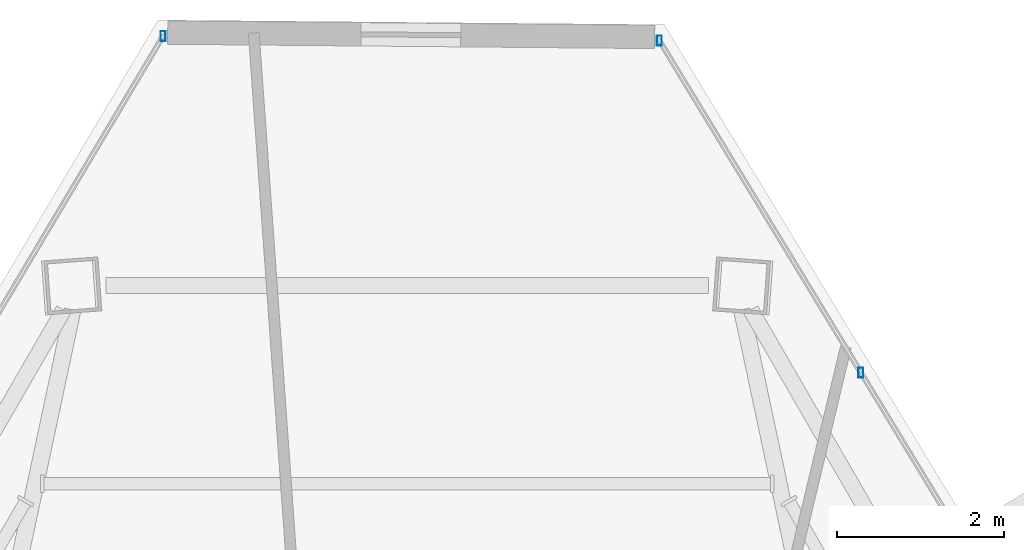
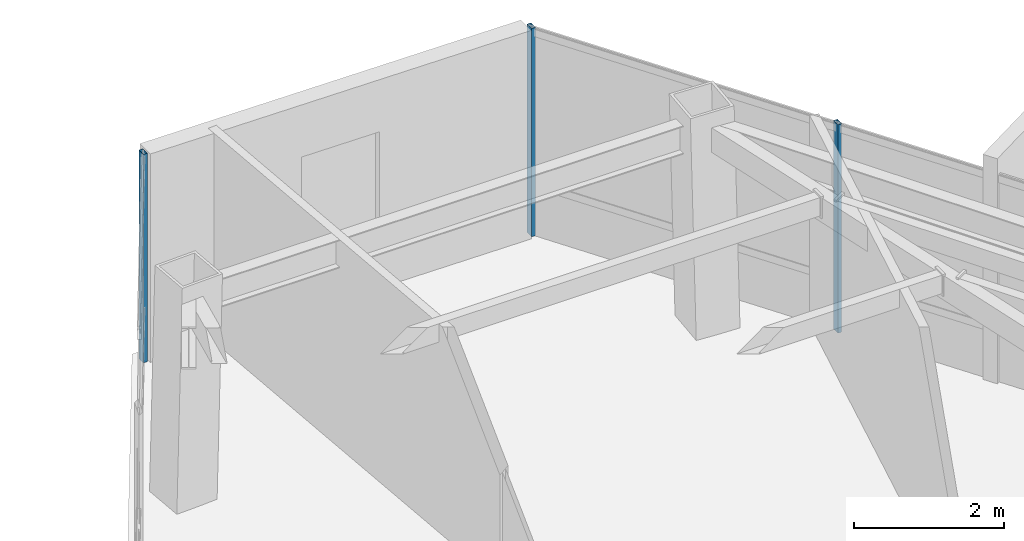
# One storey, part 35 of 47: 3 members, 2 elements without a shape of their own.
"""IFC4 building model written with IfcOpenShell, lengths in metres."""

from ifc_helpers import new_model, si_unit, direction, frame, origin, origin_2d, place, context, subcontext, project, spatial, hollow_rectangle, extrude, source, transform, mapped, material, material_profile, profile_set, type_object, type_shapes, element, aggregate, save


model = new_model("IFC4")

# Units and contexts
model_context = context("Model", 3, precision=1e-05, world=origin(), true_north=direction((0.0, 1.0)))
body_context = subcontext(model_context, "Body", "Model", "MODEL_VIEW")
ifc_project = project(units=[si_unit("LENGTHUNIT", "METRE"), si_unit("AREAUNIT", "SQUARE_METRE"), si_unit("VOLUMEUNIT", "CUBIC_METRE"), si_unit("PLANEANGLEUNIT", "RADIAN"), si_unit("MASSUNIT", "GRAM", prefix="KILO")], contexts=[model_context])

# Site, building, storey
site_placement = place(None, origin())
site = spatial("IfcSite", under=ifc_project, at=site_placement, CompositionType="ELEMENT")
building_placement = place(site_placement, origin())
building = spatial("IfcBuilding", under=site, at=building_placement, Name="Caelisora Broadcast Tower", CompositionType="ELEMENT")
storey_placement = place(building_placement, frame((0.0, 0.0, 248.10009765625)))
storey = spatial("IfcBuildingStorey", under=building, at=storey_placement, Name="L65", CompositionType="ELEMENT", Elevation=248.10009765625)

# Curtain wall, members
ifc_material_1 = material(Name="Unitised Aluminium and Low-E Glass Curtain Wall", Category="glass")
curtain_wall_type = type_object("IfcCurtainWallType", Name="CW-Z5", PredefinedType="NOTDEFINED", material=ifc_material_1)
curtain_wall_1_placement = place(storey_placement, origin())
curtain_wall_1 = element("IfcCurtainWall", 1, at=curtain_wall_1_placement, inside=storey, type_object=curtain_wall_type, Name="L65 curtain wall CW-Z5", PredefinedType="NOTDEFINED")
ifc_material_2 = material(Name="Aluminium 6063-T6 Anodised Terracotta Bronze", Category="aluminium")
ifc_material_profile = material_profile(ifc_material_2, hollow_rectangle(XDim=0.06005859375, YDim=0.1201171875, WallThickness=0.0029296875, at=origin_2d()), Name="Aluminium 6063-T6 Anodised Terracotta Bronze")
ifc_profile_set = profile_set([ifc_material_profile], Name="Aluminium 6063-T6 Anodised Terracotta Bronze")
member_type = type_object("IfcMemberType", Name="CWM-04", PredefinedType="MULLION", material=ifc_profile_set)
shared_shape = source(origin(), body_context, "Body", "SweptSolid", [
    extrude(hollow_rectangle(XDim=0.06005859375, YDim=0.1201171875, WallThickness=0.0029296875, at=origin_2d()), origin(), (0.0, 0.0, 1.0), 3.39990234375),
])
type_shapes(member_type, [shared_shape])
member_1_placement = place(storey_placement, frame((41.02783203125, 49.6083984375, 0.0), z_axis=(0.0, 0.0, 1.0), x_axis=(1.0, 0.0, 0.0)))
member_1 = element("IfcMember", 2, at=member_1_placement, type_object=member_type, Name="L65-CW-B01 mullion #0", PredefinedType="MULLION", context=body_context, shape_type="MappedRepresentation", body=[
    mapped(shared_shape, transform((0.0, 0.0, 0.0), scale=1.0)),
])
member_2_placement = place(storey_placement, frame((43.448974609375, 45.618896484375, 0.0), z_axis=(0.0, 0.0, 1.0), x_axis=(1.0, 0.0, 0.0)))
member_2 = element("IfcMember", 3, at=member_2_placement, type_object=member_type, Name="L65-CW-B01 mullion #1", PredefinedType="MULLION", context=body_context, shape_type="MappedRepresentation", body=[
    mapped(shared_shape, transform((0.0, 0.0, 0.0), scale=1.0)),
])
aggregate(curtain_wall_1, [member_1, member_2])

# Curtain wall, member
curtain_wall_2_placement = place(storey_placement, origin())
curtain_wall_2 = element("IfcCurtainWall", 4, at=curtain_wall_2_placement, inside=storey, type_object=curtain_wall_type, Name="L65 curtain wall CW-Z5", PredefinedType="NOTDEFINED")
member_3_placement = place(storey_placement, frame((35.0673828125, 49.660888671875, 0.0), z_axis=(0.0, 0.0, 1.0), x_axis=(1.0, 0.0, 0.0)))
member_3 = element("IfcMember", 5, at=member_3_placement, type_object=member_type, Name="L65-CW-B11 mullion #3", PredefinedType="MULLION", context=body_context, shape_type="MappedRepresentation", body=[
    mapped(shared_shape, transform((0.0, 0.0, 0.0), scale=1.0)),
])
aggregate(curtain_wall_2, [member_3])

save(model, "model.ifc")
